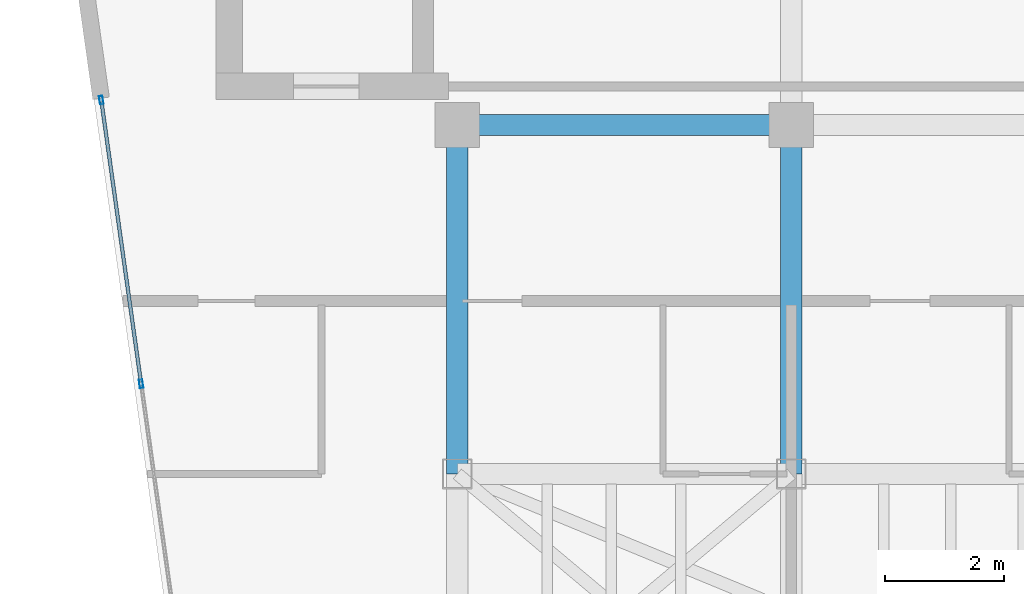
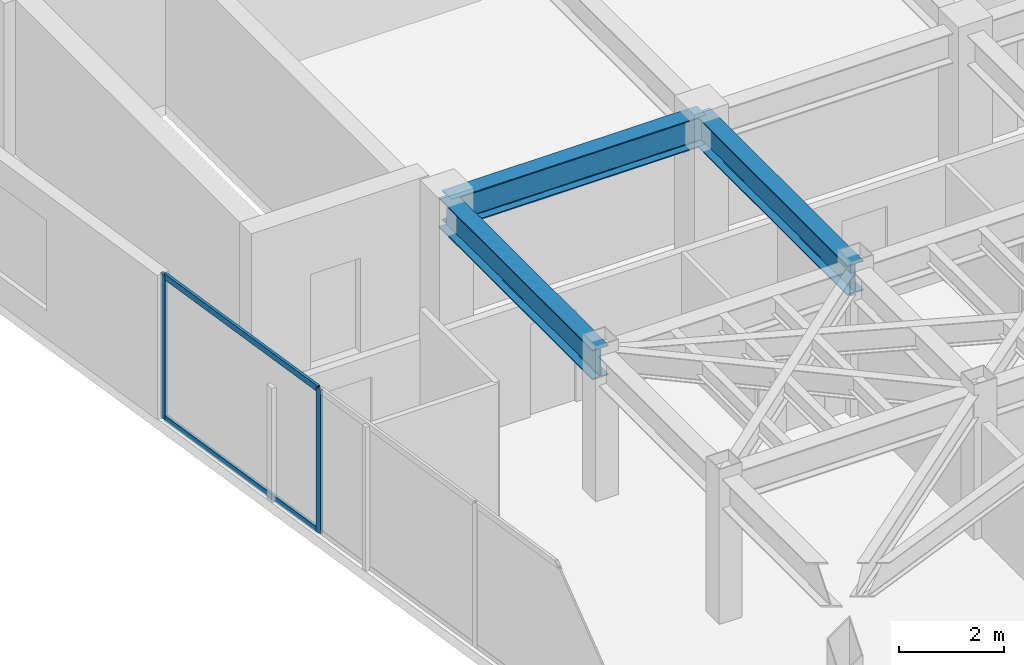
# One storey, part 10 of 20: 4 members, 3 beams, 1 element without a shape of its own.
"""IFC4 building model written with IfcOpenShell, lengths in metres."""

from ifc_helpers import new_model, si_unit, direction, frame, origin, origin_2d, place, context, subcontext, project, spatial, hollow_rectangle, i_section, extrude, material, layer, layer_set, material_profile, profile_set, type_object, element, aggregate, save


model = new_model("IFC4")

# Units and contexts
model_context = context("Model", 3, precision=1e-05, world=origin(), true_north=direction((0.0, 1.0)))
body_context = subcontext(model_context, "Body", "Model", "MODEL_VIEW")
ifc_project = project(units=[si_unit("LENGTHUNIT", "METRE"), si_unit("AREAUNIT", "SQUARE_METRE"), si_unit("VOLUMEUNIT", "CUBIC_METRE"), si_unit("PLANEANGLEUNIT", "RADIAN"), si_unit("MASSUNIT", "GRAM", prefix="KILO")], contexts=[model_context])

# Site, building, storey
site_placement = place(None, origin())
site = spatial("IfcSite", under=ifc_project, at=site_placement, CompositionType="ELEMENT")
building_placement = place(site_placement, origin())
building = spatial("IfcBuilding", under=site, at=building_placement, Name="Kravanh Interchange Tower", CompositionType="ELEMENT")
storey_placement = place(building_placement, frame((0.0, 0.0, 241.800048828125)))
storey = spatial("IfcBuildingStorey", under=building, at=storey_placement, Name="L58", CompositionType="ELEMENT", Elevation=241.800048828125)

# Curtain wall, members
ifc_material_1 = material(Name="Anodised Bronze Aluminium", Category="aluminium")
ifc_layer = layer(ifc_material_1, 0.179931640625)
ifc_layer_set = layer_set([ifc_layer], Name="Unitised Curtain Wall System CW-HTL Luxury Hotel")
curtain_wall_type = type_object("IfcCurtainWallType", Name="Unitised Curtain Wall System CW-HTL Luxury Hotel", PredefinedType="NOTDEFINED", material=ifc_layer_set)
curtain_wall_placement = place(storey_placement, origin())
curtain_wall = element("IfcCurtainWall", 1, at=curtain_wall_placement, inside=storey, type_object=curtain_wall_type, Name="L58 Unitised Curtain Wall CW-L58-01", PredefinedType="NOTDEFINED")
ifc_material_2 = material(Name="Anodised Bronze Aluminium", Category="aluminium")
ifc_material_profile_1 = material_profile(ifc_material_2, hollow_rectangle(XDim=0.06005859375, YDim=0.139892578125, WallThickness=0.00390625, at=origin_2d()), Name="ALU60X140X4")
ifc_profile_set_1 = profile_set([ifc_material_profile_1], Name="Anodised Bronze Aluminium")
member_type_1 = type_object("IfcMemberType", Name="Curtain Wall Mullion ALU60X140X4 Bronze", PredefinedType="MULLION", material=ifc_profile_set_1)
member_1_placement = place(storey_placement, frame((21.89794921875, 33.010498046875, 0.0), z_axis=(0.0, 0.0, 1.0), x_axis=(-0.990267623707, -0.13917626751, 0.0)))
member_1 = element("IfcMember", 2, at=member_1_placement, type_object=member_type_1, Name="CW-HTL mullion 4", PredefinedType="MULLION", context=body_context, shape_type="SweptSolid", body=[
    extrude(hollow_rectangle(XDim=0.06005859375, YDim=0.139892578125, WallThickness=0.00390625, at=origin_2d()), origin(), (0.0, 0.0, 1.0), 3.349853515625),
])
member_2_placement = place(storey_placement, frame((21.22900390625, 37.770263671875, 0.0), z_axis=(0.0, 0.0, 1.0), x_axis=(-0.990267623707, -0.13917626751, 0.0)))
member_2 = element("IfcMember", 3, at=member_2_placement, type_object=member_type_1, Name="CW-HTL mullion 5", PredefinedType="MULLION", context=body_context, shape_type="SweptSolid", body=[
    extrude(hollow_rectangle(XDim=0.06005859375, YDim=0.139892578125, WallThickness=0.00390625, at=origin_2d()), origin(), (0.0, 0.0, 1.0), 3.349853515625),
])
ifc_material_3 = material(Name="Anodised Bronze Aluminium", Category="aluminium")
ifc_material_profile_2 = material_profile(ifc_material_3, hollow_rectangle(XDim=0.06005859375, YDim=0.139892578125, WallThickness=0.00390625, at=origin_2d()), Name="ALU60X140X4")
ifc_profile_set_2 = profile_set([ifc_material_profile_2], Name="Anodised Bronze Aluminium")
member_type_2 = type_object("IfcMemberType", Name="Curtain Wall Transom ALU60X140X4 Bronze", PredefinedType="USERDEFINED", material=ifc_profile_set_2)
member_3_placement = place(storey_placement, frame((21.893798828125, 33.0400390625, 0.030029296875), z_axis=(-0.13918153974, 0.990266882712, 0.0), x_axis=(-0.990266882712, -0.13918153974, 0.0)))
member_3 = element("IfcMember", 4, at=member_3_placement, type_object=member_type_2, Name="CW-HTL transom 4.1", ObjectType="TRANSOM", PredefinedType="USERDEFINED", context=body_context, shape_type="SweptSolid", body=[
    extrude(hollow_rectangle(XDim=0.06005859375, YDim=0.139892578125, WallThickness=0.00390625, at=origin_2d()), origin(), (0.0, 0.0, 1.0), 4.74658203125),
])
member_4_placement = place(storey_placement, frame((21.893798828125, 33.0400390625, 3.320068359375), z_axis=(-0.13918153974, 0.990266882712, 0.0), x_axis=(-0.990266882712, -0.13918153974, 0.0)))
member_4 = element("IfcMember", 5, at=member_4_placement, type_object=member_type_2, Name="CW-HTL transom 4.2", ObjectType="TRANSOM", PredefinedType="USERDEFINED", context=body_context, shape_type="SweptSolid", body=[
    extrude(hollow_rectangle(XDim=0.06005859375, YDim=0.139892578125, WallThickness=0.00390625, at=origin_2d()), origin(), (0.0, 0.0, 1.0), 4.74658203125),
])
aggregate(curtain_wall, [member_1, member_2, member_3, member_4])

# Beams
ifc_material_4 = material(Name="Structural Steel S355", Category="steel")
ifc_material_profile_3 = material_profile(ifc_material_4, i_section(OverallWidth=0.35498046875, OverallDepth=0.696044921875, WebThickness=0.015380859375, FlangeThickness=0.02490234375, FilletRadius=0.02392578125, at=origin_2d()), Name="W27X146")
ifc_profile_set_3 = profile_set([ifc_material_profile_3], Name="Structural Steel S355")
beam_type = type_object("IfcBeamType", Name="Floor Beam W27X146 Structural Steel S355", PredefinedType="BEAM", material=ifc_profile_set_3)
for number, where, z_axis, x_axis, name in (
    (6, (32.800048828125, 31.5, 3.001953125), (0.0, 1.0, 0.0), (-1.0, 0.0, 0.0), "L58 Primary Floor Girder 23"),
    (7, (27.199951171875, 31.5, 3.001953125), (0.0, 1.0, 0.0), (-1.0, 0.0, 0.0), "L58 Primary Floor Girder 26"),
):
    element("IfcBeam", number, at=place(storey_placement, frame(where, z_axis=z_axis, x_axis=x_axis)), inside=storey, type_object=beam_type, Name=name, PredefinedType="BEAM", context=body_context, shape_type="SweptSolid", body=[
        extrude(i_section(OverallWidth=0.35498046875, OverallDepth=0.696044921875, WebThickness=0.015380859375, FlangeThickness=0.02490234375, FilletRadius=0.02392578125, at=origin_2d()), origin(), (0.0, 0.0, 1.0), 5.85009765625),
    ])
beam_placement = place(storey_placement, frame((32.800048828125, 37.35009765625, 3.001953125), z_axis=(-1.0, 0.0, 0.0), x_axis=(0.0, -1.0, 0.0)))
element("IfcBeam", 8, at=beam_placement, inside=storey, type_object=beam_type, Name="L58 Primary Floor Girder 58", PredefinedType="BEAM", context=body_context, shape_type="SweptSolid", body=[
    extrude(i_section(OverallWidth=0.35498046875, OverallDepth=0.696044921875, WebThickness=0.015380859375, FlangeThickness=0.02490234375, FilletRadius=0.02392578125, at=origin_2d()), origin(), (0.0, 0.0, 1.0), 5.60009765625),
])

save(model, "model.ifc")
